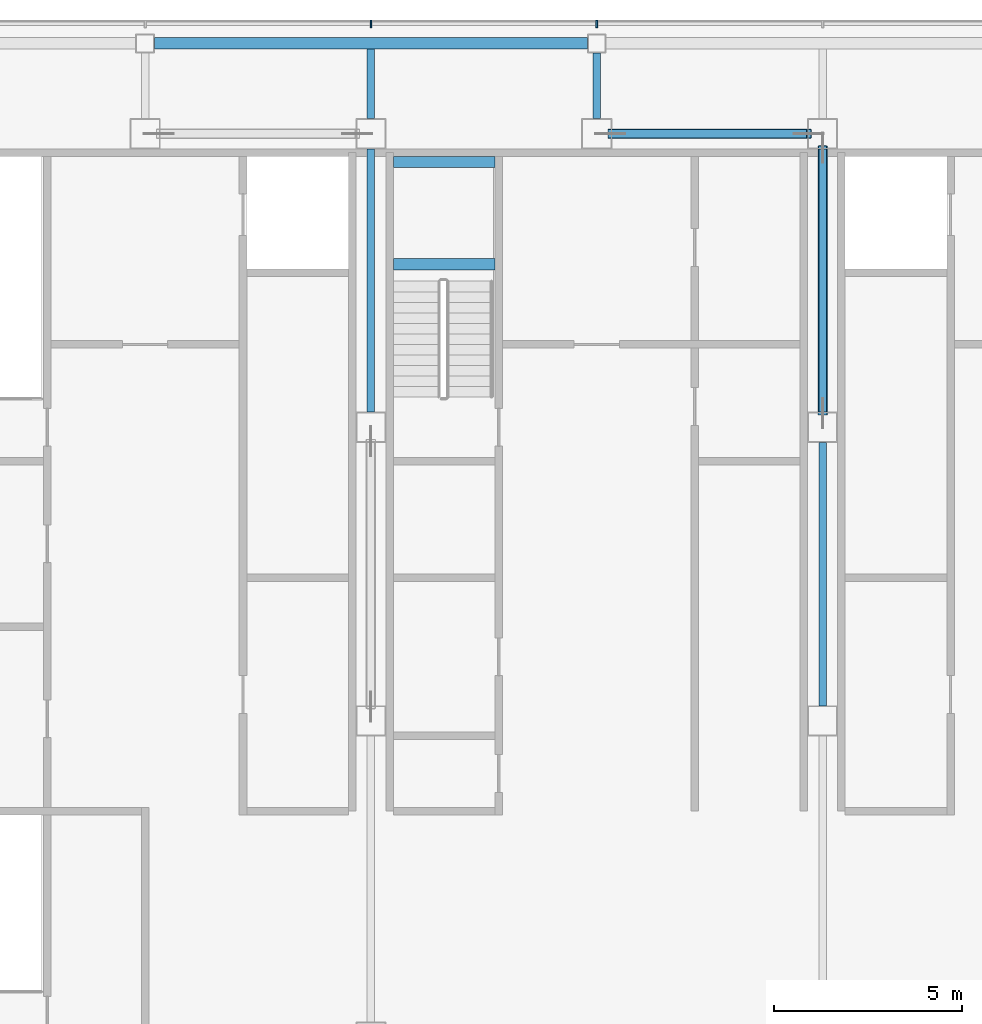
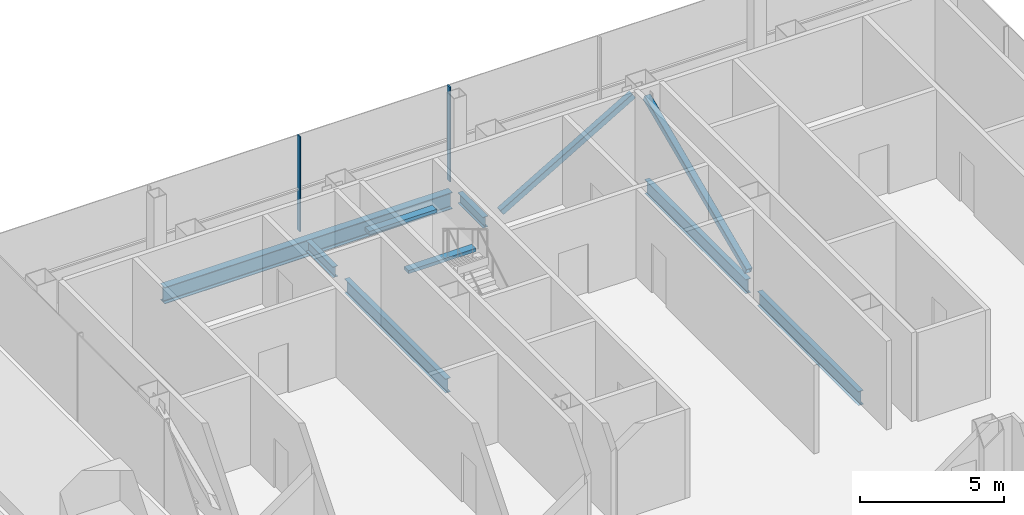
# One storey, part 5 of 12: 8 beams, 4 members, 1 element without a shape of its own.
"""IFC4 building model written with IfcOpenShell, lengths in metres."""

from ifc_helpers import new_model, si_unit, direction, frame, origin, origin_2d, place, context, subcontext, project, spatial, rectangle, hollow_rectangle, i_section, extrude, material, material_profile, profile_set, type_object, element, aggregate, save


model = new_model("IFC4")

# Units and contexts
model_context = context("Model", 3, precision=1e-05, world=origin(), true_north=direction((0.0, 1.0)))
body_context = subcontext(model_context, "Body", "Model", "MODEL_VIEW")
ifc_project = project(units=[si_unit("LENGTHUNIT", "METRE"), si_unit("AREAUNIT", "SQUARE_METRE"), si_unit("VOLUMEUNIT", "CUBIC_METRE"), si_unit("PLANEANGLEUNIT", "RADIAN"), si_unit("MASSUNIT", "GRAM", prefix="KILO")], contexts=[model_context])

# Site, building, storey
site_placement = place(None, origin())
site = spatial("IfcSite", under=ifc_project, at=site_placement, CompositionType="ELEMENT")
building_placement = place(site_placement, origin())
building = spatial("IfcBuilding", under=site, at=building_placement, Name="Sorahane Residences", CompositionType="ELEMENT")
storey_placement = place(building_placement, frame((0.0, 0.0, 353.800048828125)))
storey = spatial("IfcBuildingStorey", under=building, at=storey_placement, Name="L84", CompositionType="ELEMENT", Elevation=353.800048828125)

# Members
ifc_material_1 = material(Name="Steel Q355B", Category="steel")
ifc_material_profile_1 = material_profile(ifc_material_1, hollow_rectangle(XDim=0.25, YDim=0.25, WallThickness=0.011962890625, InnerFilletRadius=0.006103515625, OuterFilletRadius=0.01806640625, at=origin_2d()), Name="RHS 250x250x12")
ifc_profile_set_1 = profile_set([ifc_material_profile_1], Name="Steel Q355B")
member_type_1 = type_object("IfcMemberType", Name="Core brace RHS 250x250x12 Q355B", PredefinedType="BRACE", material=ifc_profile_set_1)
member_1_placement = place(storey_placement, frame((24.362060546875, 45.60009765625, 0.102783203125), z_axis=(0.862574842184, 0.0, 0.505929482864), x_axis=(0.0, 1.0, 0.0)))
element("IfcMember", 1, at=member_1_placement, inside=storey, type_object=member_type_1, Name="Core brace L84 y45.6-4", PredefinedType="BRACE", context=body_context, shape_type="SweptSolid", body=[
    extrude(hollow_rectangle(XDim=0.25, YDim=0.25, WallThickness=0.011962890625, InnerFilletRadius=0.006103515625, OuterFilletRadius=0.01806640625, at=origin_2d()), origin(), (0.0, 0.0, 1.0), 6.116455078125),
])
member_2_placement = place(storey_placement, frame((30.0, 38.169921875, 0.11181640625), z_axis=(0.0, 0.916757291072, 0.399444701138), x_axis=(-1.0, 0.0, 0.0)))
element("IfcMember", 2, at=member_2_placement, inside=storey, type_object=member_type_1, Name="Core brace L84 x30-2", PredefinedType="BRACE", context=body_context, shape_type="SweptSolid", body=[
    extrude(hollow_rectangle(XDim=0.25, YDim=0.25, WallThickness=0.011962890625, InnerFilletRadius=0.006103515625, OuterFilletRadius=0.01806640625, at=origin_2d()), origin(), (0.0, 0.0, 1.0), 7.701171875),
])

# Curtain wall, members
ifc_material_2 = material(Name="Dark low-e glass and black anodised aluminium", Category="aluminium")
curtain_wall_type = type_object("IfcCurtainWallType", Name="Curtain wall CW-6 Crown unitised wall", PredefinedType="NOTDEFINED", material=ifc_material_2)
curtain_wall_placement = place(storey_placement, origin())
curtain_wall = element("IfcCurtainWall", 3, at=curtain_wall_placement, inside=storey, type_object=curtain_wall_type, Name="CW-6 curtain wall L84 N1", PredefinedType="NOTDEFINED")
ifc_material_3 = material(Name="Black anodised aluminium", Category="aluminium")
ifc_material_profile_2 = material_profile(ifc_material_3, rectangle(XDim=0.199951171875, YDim=0.050048828125, at=origin_2d()), Name="Curtain wall mullion CW-6 black anodised aluminium 50x200")
ifc_profile_set_2 = profile_set([ifc_material_profile_2], Name="Black anodised aluminium")
member_type_2 = type_object("IfcMemberType", Name="Curtain wall mullion CW-6 black anodised aluminium 50x200", PredefinedType="MULLION", material=ifc_profile_set_2)
member_3_placement = place(storey_placement, frame((24.0, 48.52001953125, -0.25), z_axis=(0.0, 0.0, 1.0), x_axis=(0.0, 1.0, 0.0)))
member_3 = element("IfcMember", 4, at=member_3_placement, type_object=member_type_2, Name="CW-6 mullion L84 N1.4", PredefinedType="MULLION", context=body_context, shape_type="SweptSolid", body=[
    extrude(rectangle(XDim=0.199951171875, YDim=0.050048828125, at=origin_2d()), origin(), (0.0, 0.0, 1.0), 4.0),
])
member_4_placement = place(storey_placement, frame((18.0, 48.52001953125, -0.25), z_axis=(0.0, 0.0, 1.0), x_axis=(0.0, 1.0, 0.0)))
member_4 = element("IfcMember", 5, at=member_4_placement, type_object=member_type_2, Name="CW-6 mullion L84 N1.5", PredefinedType="MULLION", context=body_context, shape_type="SweptSolid", body=[
    extrude(rectangle(XDim=0.199951171875, YDim=0.050048828125, at=origin_2d()), origin(), (0.0, 0.0, 1.0), 4.0),
])
aggregate(curtain_wall, [member_3, member_4])

# Beams
ifc_material_4 = material(Name="Concrete C40", Category="concrete")
ifc_material_profile_3 = material_profile(ifc_material_4, rectangle(XDim=0.300048828125, YDim=0.139892578125, at=origin_2d()), Name="300x140")
ifc_profile_set_3 = profile_set([ifc_material_profile_3], Name="Concrete C40")
beam_type_1 = type_object("IfcBeamType", Name="RC landing beam 300 x 140 Concrete C40", PredefinedType="BEAM", material=ifc_profile_set_3)
for number, where, z_axis, x_axis, name in (
    (6, (18.60009765625, 42.1298828125, 1.72998046875), (1.0, 0.0, 0.0), (0.0, 1.0, 0.0), "Landing beam"),
    (7, (18.60009765625, 44.85009765625, 1.72998046875), (1.0, 0.0, 0.0), (0.0, 1.0, 0.0), "Landing beam"),
):
    element("IfcBeam", number, at=place(storey_placement, frame(where, z_axis=z_axis, x_axis=x_axis)), inside=storey, type_object=beam_type_1, Name=name, PredefinedType="BEAM", context=body_context, shape_type="SweptSolid", body=[
        extrude(rectangle(XDim=0.300048828125, YDim=0.139892578125, at=origin_2d()), origin(), (0.0, 0.0, 1.0), 2.699951171875),
    ])
ifc_material_5 = material(Name="Steel Q355B", Category="steel")
ifc_material_profile_4 = material_profile(ifc_material_5, i_section(OverallWidth=0.199951171875, OverallDepth=0.449951171875, WebThickness=0.009033203125, FlangeThickness=0.013916015625, FilletRadius=0.02001953125, at=origin_2d()), Name="HN 450x200x9x14")
ifc_profile_set_4 = profile_set([ifc_material_profile_4], Name="Steel Q355B")
beam_type_2 = type_object("IfcBeamType", Name="Steel floor beam HN 450x200x9x14 Q355B", PredefinedType="BEAM", material=ifc_profile_set_4)
beam_1_placement = place(storey_placement, frame((18.0, 46.0, -0.47509765625), z_axis=(0.0, 1.0, 0.0), x_axis=(-1.0, 0.0, 0.0)))
element("IfcBeam", 8, at=beam_1_placement, inside=storey, type_object=beam_type_2, Name="Beam L84 015", PredefinedType="BEAM", context=body_context, shape_type="SweptSolid", body=[
    extrude(i_section(OverallWidth=0.199951171875, OverallDepth=0.449951171875, WebThickness=0.009033203125, FlangeThickness=0.013916015625, FilletRadius=0.02001953125, at=origin_2d()), origin(), (0.0, 0.0, 1.0), 1.85009765625),
])
beam_2_placement = place(storey_placement, frame((24.0, 46.0, -0.47509765625), z_axis=(0.0, 1.0, 0.0), x_axis=(-1.0, 0.0, 0.0)))
element("IfcBeam", 9, at=beam_2_placement, inside=storey, type_object=beam_type_2, Name="Beam L84 017", PredefinedType="BEAM", context=body_context, shape_type="SweptSolid", body=[
    extrude(i_section(OverallWidth=0.199951171875, OverallDepth=0.449951171875, WebThickness=0.009033203125, FlangeThickness=0.013916015625, FilletRadius=0.02001953125, at=origin_2d()), origin(), (0.0, 0.0, 1.0), 1.75),
])
ifc_material_6 = material(Name="Steel Q355B", Category="steel")
ifc_material_profile_5 = material_profile(ifc_material_6, i_section(OverallWidth=0.199951171875, OverallDepth=0.60009765625, WebThickness=0.010986328125, FlangeThickness=0.01708984375, FilletRadius=0.02392578125, at=origin_2d()), Name="HN 600x200x11x17")
ifc_profile_set_5 = profile_set([ifc_material_profile_5], Name="Steel Q355B")
beam_type_3 = type_object("IfcBeamType", Name="Steel floor beam HN 600x200x11x17 Q355B", PredefinedType="BEAM", material=ifc_profile_set_5)
for number, where, z_axis, x_axis, name in (
    (10, (18.0, 38.199951171875, -0.550048828125), (0.0, 1.0, 0.0), (-1.0, 0.0, 0.0), "Beam L84 014"),
    (11, (30.0, 30.39990234375, -0.550048828125), (0.0, 1.0, 0.0), (-1.0, 0.0, 0.0), "Beam L84 019"),
    (12, (30.0, 38.199951171875, -0.550048828125), (0.0, 1.0, 0.0), (-1.0, 0.0, 0.0), "Beam L84 020"),
):
    element("IfcBeam", number, at=place(storey_placement, frame(where, z_axis=z_axis, x_axis=x_axis)), inside=storey, type_object=beam_type_3, Name=name, PredefinedType="BEAM", context=body_context, shape_type="SweptSolid", body=[
        extrude(i_section(OverallWidth=0.199951171875, OverallDepth=0.60009765625, WebThickness=0.010986328125, FlangeThickness=0.01708984375, FilletRadius=0.02392578125, at=origin_2d()), origin(), (0.0, 0.0, 1.0), 7.0),
    ])
ifc_material_7 = material(Name="Steel Q355B", Category="steel")
ifc_material_profile_6 = material_profile(ifc_material_7, i_section(OverallWidth=0.300048828125, OverallDepth=0.699951171875, WebThickness=0.012939453125, FlangeThickness=0.02392578125, FilletRadius=0.028076171875, at=origin_2d()), Name="HN 700x300x13x24")
ifc_profile_set_6 = profile_set([ifc_material_profile_6], Name="Steel Q355B")
beam_type_4 = type_object("IfcBeamType", Name="Steel floor beam HN 700x300x13x24 Q355B", PredefinedType="BEAM", material=ifc_profile_set_6)
beam_3_placement = place(storey_placement, frame((12.25, 48.0, -0.60009765625), z_axis=(1.0, 0.0, 0.0), x_axis=(0.0, 1.0, 0.0)))
element("IfcBeam", 13, at=beam_3_placement, inside=storey, type_object=beam_type_4, Name="Beam L84 000", PredefinedType="BEAM", context=body_context, shape_type="SweptSolid", body=[
    extrude(i_section(OverallWidth=0.300048828125, OverallDepth=0.699951171875, WebThickness=0.012939453125, FlangeThickness=0.02392578125, FilletRadius=0.028076171875, at=origin_2d()), origin(), (0.0, 0.0, 1.0), 11.5),
])

save(model, "model.ifc")
